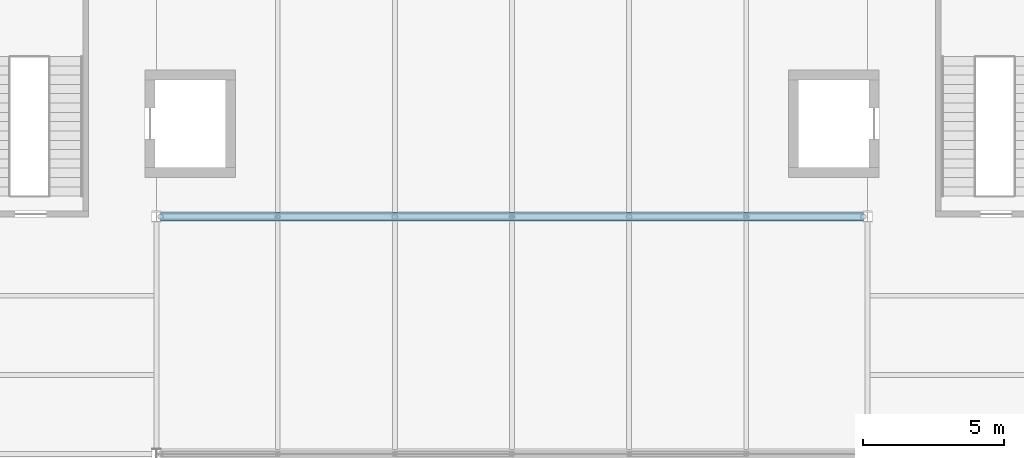
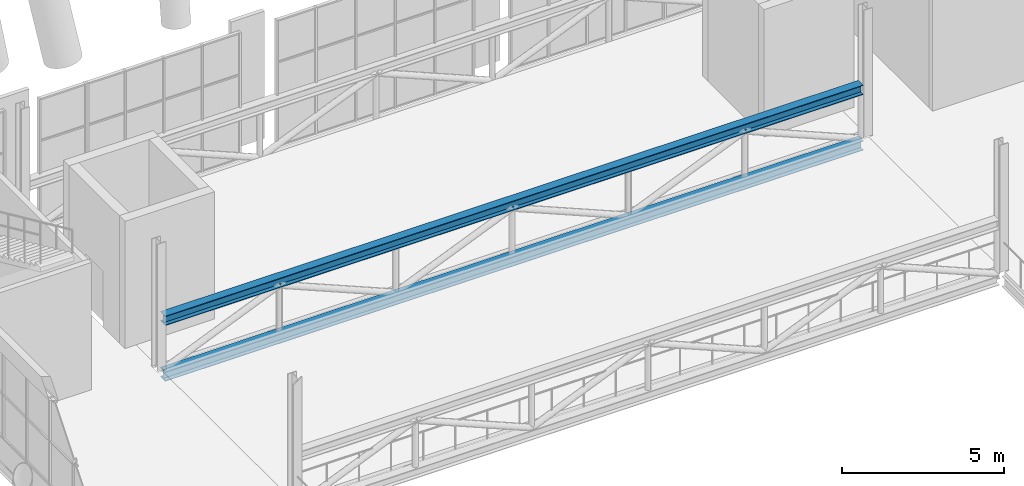
# One storey, part 33 of 76: 2 beams.
"""IFC4 building model written with IfcOpenShell, lengths in metres."""

from ifc_helpers import new_model, si_unit, direction, frame, origin, origin_2d, place, context, subcontext, project, spatial, i_section, extrude, material, material_profile, profile_set, type_object, element, save


model = new_model("IFC4")

# Units and contexts
model_context = context("Model", 3, precision=1e-05, world=origin(), true_north=direction((0.0, 1.0)))
body_context = subcontext(model_context, "Body", "Model", "MODEL_VIEW")
ifc_project = project(units=[si_unit("LENGTHUNIT", "METRE"), si_unit("AREAUNIT", "SQUARE_METRE"), si_unit("VOLUMEUNIT", "CUBIC_METRE"), si_unit("PLANEANGLEUNIT", "RADIAN"), si_unit("MASSUNIT", "GRAM", prefix="KILO")], contexts=[model_context])

# Site, building, storey
site_placement = place(None, origin())
site = spatial("IfcSite", under=ifc_project, at=site_placement, CompositionType="ELEMENT")
building_placement = place(site_placement, origin())
building = spatial("IfcBuilding", under=site, at=building_placement, Name="Sava Quay Ferry Terminal", CompositionType="ELEMENT")
storey_placement = place(building_placement, frame((0.0, 0.0, 6.0)))
storey = spatial("IfcBuildingStorey", under=building, at=storey_placement, Name="L01", CompositionType="ELEMENT", Elevation=6.0)

# Beams
ifc_material = material(Name="Steel S355", Category="steel")
ifc_material_profile = material_profile(ifc_material, i_section(OverallWidth=0.300048828125, OverallDepth=0.360107421875, WebThickness=0.012451171875, FlangeThickness=0.0224609375, at=origin_2d()), Name="HE 360 B")
ifc_profile_set = profile_set([ifc_material_profile], Name="Steel S355")
beam_type = type_object("IfcBeamType", Name="Girder HE 360 B", PredefinedType="BEAM", material=ifc_profile_set)
for number, where, z_axis, x_axis, name in (
    (1, (50.550048828125, 92.39990234375, -0.31005859375), (1.0, 0.0, 0.0), (0.0, 1.0, 0.0), "Truss bottom chord 92.4"),
    (2, (50.550048828125, 92.39990234375, 1.7900390625), (1.0, 0.0, 0.0), (0.0, 1.0, 0.0), "Truss top chord 92.4"),
):
    element("IfcBeam", number, at=place(storey_placement, frame(where, z_axis=z_axis, x_axis=x_axis)), inside=storey, type_object=beam_type, Name=name, PredefinedType="BEAM", context=body_context, shape_type="SweptSolid", body=[
        extrude(i_section(OverallWidth=0.300048828125, OverallDepth=0.360107421875, WebThickness=0.012451171875, FlangeThickness=0.0224609375, at=origin_2d()), origin(), (0.0, 0.0, 1.0), 24.89990234375),
    ])

save(model, "model.ifc")
